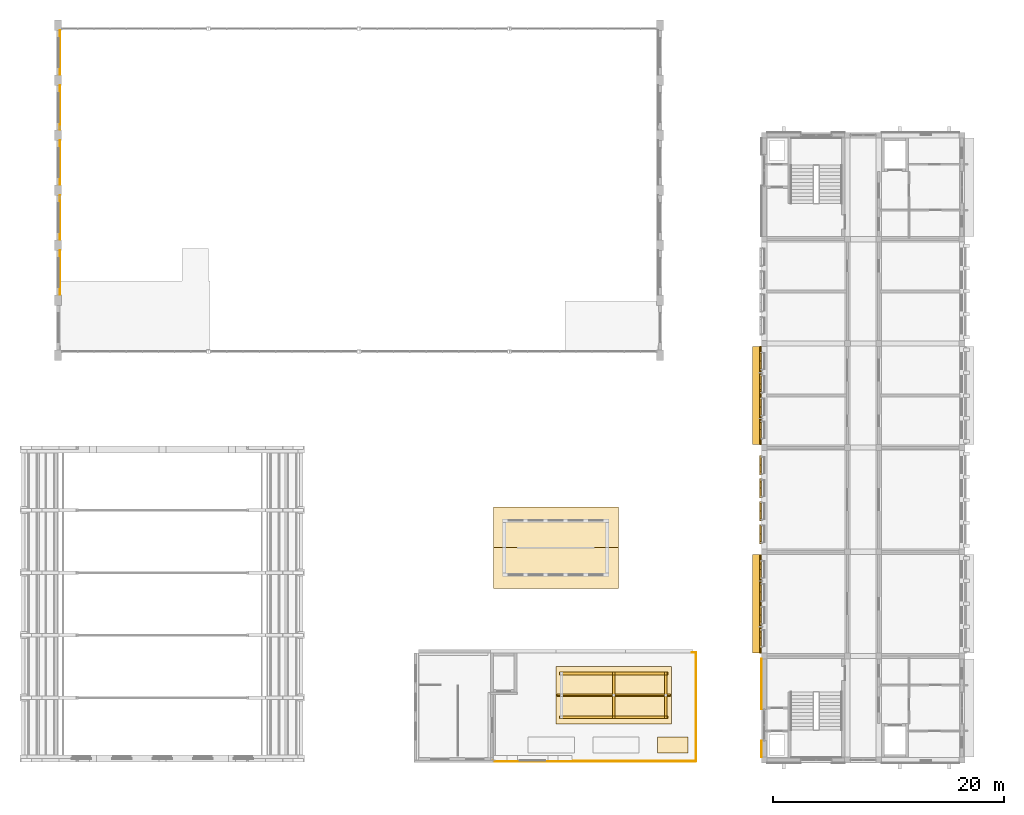
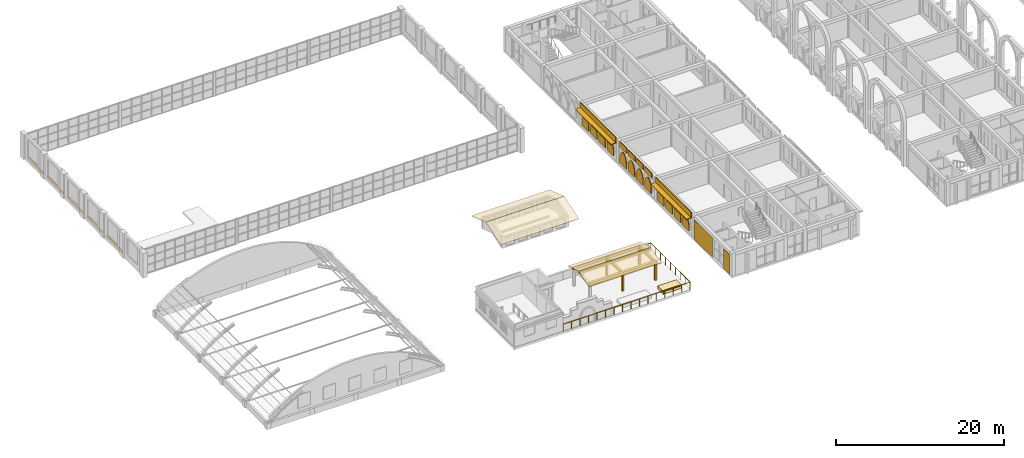
# One storey, part 56 of 70: 26 coverings, 14 shading devices, 1 railing.
"""IFC4 building model written with IfcOpenShell, lengths in metres."""

from ifc_helpers import new_model, si_unit, direction, frame, origin, origin_2d, place, context, subcontext, project, spatial, polyline, rectangle, circle, outline, extrude, material, layer, layer_set, material_profile, profile_set, type_object, element, save


model = new_model("IFC4")

# Units and contexts
model_context = context("Model", 3, precision=1e-05, world=origin(), true_north=direction((0.0, 1.0)))
body_context = subcontext(model_context, "Body", "Model", "MODEL_VIEW")
ifc_project = project(units=[si_unit("LENGTHUNIT", "METRE"), si_unit("AREAUNIT", "SQUARE_METRE"), si_unit("VOLUMEUNIT", "CUBIC_METRE"), si_unit("PLANEANGLEUNIT", "RADIAN"), si_unit("MASSUNIT", "GRAM", prefix="KILO")], contexts=[model_context])

# Site, building, storey
site_placement = place(None, origin())
site = spatial("IfcSite", under=ifc_project, at=site_placement, CompositionType="ELEMENT")
building_placement = place(site_placement, origin())
building = spatial("IfcBuilding", under=site, at=building_placement, Name="Elbe Cascade School", CompositionType="ELEMENT")
storey_placement = place(building_placement, frame((0.0, 0.0, 8.10009765625)))
storey = spatial("IfcBuildingStorey", under=building, at=storey_placement, Name="L02", CompositionType="ELEMENT", Elevation=8.10009765625)

# Shading devices
ifc_material_1 = material(Name="Precast concrete C30/37", Category="concrete")
ifc_layer_1 = layer(ifc_material_1, 0.1201171875)
ifc_layer_set_1 = layer_set([ifc_layer_1], Name="Precast concrete C30/37")
shading_device_type_1 = type_object("IfcShadingDeviceType", Name="Bars envelope Chhajja eave, precast concrete, 900 x 120", PredefinedType="USERDEFINED", material=ifc_layer_set_1)
for number, where, z_axis, x_axis, name in (
    (1, (68.429931640625, 19.5, 2.729736328125), (0.0, 0.0, 1.0), (0.0, 1.0, 0.0), "Chhajja eave SD2 A.L02.w2"),
    (2, (68.429931640625, 37.5, 2.729736328125), (0.0, 0.0, 1.0), (0.0, 1.0, 0.0), "Chhajja eave SD2 A.L02.w4"),
):
    element("IfcShadingDevice", number, at=place(storey_placement, frame(where, z_axis=z_axis, x_axis=x_axis)), inside=storey, type_object=shading_device_type_1, Name=name, ObjectType="CHHAJJA", PredefinedType="USERDEFINED", context=body_context, shape_type="SweptSolid", body=[
        extrude(rectangle(XDim=8.5, YDim=0.89990234375, at=origin_2d()), origin(), (0.0, 0.0, 1.0), 0.1201171875),
    ])
ifc_material_2 = material(Name="Precast concrete C40/50", Category="concrete")
ifc_layer_2 = layer(ifc_material_2, 0.10009765625)
ifc_layer_set_2 = layer_set([ifc_layer_2], Name="Precast concrete C40/50")
shading_device_type_2 = type_object("IfcShadingDeviceType", Name="Bars envelope Jali screen 1600 x 1940, pointed arch rise 1200, pierced precast concrete", PredefinedType="USERDEFINED", material=ifc_layer_set_2)
shading_device_1_placement = place(storey_placement, frame((68.60009765625, 15.72998046875, 1.33984375), z_axis=(-1.0, 0.0, 0.0), x_axis=(0.0, 0.196300278283, 0.98054382908)))
element("IfcShadingDevice", 3, at=shading_device_1_placement, inside=storey, type_object=shading_device_type_2, Name="Jali screen SD4 A.L02.w2.1", ObjectType="JALI", PredefinedType="USERDEFINED", context=body_context, shape_type="SweptSolid", body=[
    extrude(outline(polyline([(0.0, 0.0), (0.509921112317134, 0.0), (0.7186409460062186, 0.06005009918221829), (0.8735458233318658, 0.1311226852889124), (0.9984789528759602, 0.2079464898907821), (1.102872417131342, 0.2891312241218946), (1.1919448840573539, 0.37338315020117196), (1.268281725197354, 0.45993570394643946), (1.3336545243794973, 0.5489321924158467), (1.3075321958793382, 0.6559965916457164), (1.270445825421322, 0.7655049255997259), (1.220671754049922, 0.877553277802997), (1.1555287604765243, 0.9924294312711612), (1.069846101614414, 1.1116665143685687), (0.9541916949707512, 1.2366548159611515), (0.7847223319636507, 1.37266560447821), (0.31409961520112845, 1.5689658827607584), (-0.41149324269448634, 1.7142261716949392), (-0.7255928578956148, 0.1452602889341807), (0.0, 0.0)])), origin(), (0.0, 0.0, -1.0), 0.10009765625),
])
for number, where, z_axis, x_axis, name in (
    (4, (68.60009765625, 17.7099609375, 1.33984375), (-1.0, 0.0, 0.0), (0.0, 0.196300278283, 0.98054382908), "Jali screen SD4 A.L02.w2.2"),
    (5, (68.60009765625, 19.68994140625, 1.33984375), (-1.0, 0.0, 0.0), (0.0, 0.196300278283, 0.98054382908), "Jali screen SD4 A.L02.w2.3"),
):
    element("IfcShadingDevice", number, at=place(storey_placement, frame(where, z_axis=z_axis, x_axis=x_axis)), inside=storey, type_object=shading_device_type_2, Name=name, ObjectType="JALI", PredefinedType="USERDEFINED", context=body_context, shape_type="SweptSolid", body=[
        extrude(outline(polyline([(0.0, 0.0), (0.509921112317134, 0.0), (0.7186409460062186, 0.06005009918221829), (0.8735458233318658, 0.1311226852889124), (0.9985268777485877, 0.20818588047405348), (1.102872417131342, 0.2891312241218946), (1.1919448840573539, 0.37338315020117196), (1.268281725197354, 0.45993570394643946), (1.3336545243794973, 0.5489321924158467), (1.3075801207519657, 0.6562359822289878), (1.270445825421322, 0.7655049255997259), (1.220671754049922, 0.877553277802997), (1.1555287604765243, 0.9924294312711612), (1.069846101614414, 1.1116665143685687), (0.9542396198433787, 1.2368942065444228), (0.7847223319636507, 1.37266560447821), (0.31409961520112845, 1.5689658827607584), (-0.41149324269448634, 1.7142261716949392), (-0.7255928578956148, 0.1452602889341807), (0.0, 0.0)])), origin(), (0.0, 0.0, -1.0), 0.10009765625),
    ])
shading_device_2_placement = place(storey_placement, frame((68.60009765625, 21.669921875, 1.33984375), z_axis=(-1.0, 0.0, 0.0), x_axis=(0.0, 0.196300278283, 0.98054382908)))
element("IfcShadingDevice", 6, at=shading_device_2_placement, inside=storey, type_object=shading_device_type_2, Name="Jali screen SD4 A.L02.w2.4", ObjectType="JALI", PredefinedType="USERDEFINED", context=body_context, shape_type="SweptSolid", body=[
    extrude(outline(polyline([(0.0, 0.0), (0.509921112317134, 0.0), (0.7186888708788461, 0.0602894897654897), (0.8735458233318658, 0.1311226852889124), (0.9985268777485877, 0.20818588047405348), (1.102872417131342, 0.2891312241218946), (1.1919448840573539, 0.37338315020117196), (1.2683296500699814, 0.46017509452971084), (1.3336545243794973, 0.5489321924158467), (1.3075801207519657, 0.6562359822289878), (1.270445825421322, 0.7655049255997259), (1.220671754049922, 0.877553277802997), (1.155576685349152, 0.9926688218544326), (1.069846101614414, 1.1116665143685687), (0.9542396198433787, 1.2368942065444228), (0.7847223319636507, 1.37266560447821), (0.31409961520112845, 1.5689658827607584), (-0.41149324269448634, 1.7142261716949392), (-0.7255928578956148, 0.1452602889341807), (0.0, 0.0)])), origin(), (0.0, 0.0, -1.0), 0.10009765625),
])
shading_device_3_placement = place(storey_placement, frame((68.60009765625, 24.72998046875, 1.33984375), z_axis=(-1.0, 0.0, 0.0), x_axis=(0.0, 0.196300278283, 0.98054382908)))
element("IfcShadingDevice", 7, at=shading_device_3_placement, inside=storey, type_object=shading_device_type_2, Name="Jali screen SD4 A.L02.w3.1", ObjectType="JALI", PredefinedType="USERDEFINED", context=body_context, shape_type="SweptSolid", body=[
    extrude(outline(polyline([(0.0, 0.0), (0.509921112317134, 0.0), (0.7186409460062186, 0.06005009918221829), (0.8735458233318658, 0.1311226852889124), (0.9984789528759602, 0.2079464898907821), (1.102872417131342, 0.2891312241218946), (1.1919448840573539, 0.37338315020117196), (1.268281725197354, 0.45993570394643946), (1.3336545243794973, 0.5489321924158467), (1.3075321958793382, 0.6559965916457164), (1.270445825421322, 0.7655049255997259), (1.220671754049922, 0.877553277802997), (1.1555287604765243, 0.9924294312711612), (1.069846101614414, 1.1116665143685687), (0.9541916949707512, 1.2366548159611515), (0.7847223319636507, 1.37266560447821), (0.31409961520112845, 1.5689658827607584), (-0.41149324269448634, 1.7142261716949392), (-0.7255928578956148, 0.1452602889341807), (0.0, 0.0)])), origin(), (0.0, 0.0, -1.0), 0.10009765625),
])
for number, where, z_axis, x_axis, name in (
    (8, (68.60009765625, 26.7099609375, 1.33984375), (-1.0, 0.0, 0.0), (0.0, 0.196300278283, 0.98054382908), "Jali screen SD4 A.L02.w3.2"),
    (9, (68.60009765625, 28.68994140625, 1.33984375), (-1.0, 0.0, 0.0), (0.0, 0.196300278283, 0.98054382908), "Jali screen SD4 A.L02.w3.3"),
):
    element("IfcShadingDevice", number, at=place(storey_placement, frame(where, z_axis=z_axis, x_axis=x_axis)), inside=storey, type_object=shading_device_type_2, Name=name, ObjectType="JALI", PredefinedType="USERDEFINED", context=body_context, shape_type="SweptSolid", body=[
        extrude(outline(polyline([(0.0, 0.0), (0.509921112317134, 0.0), (0.7186409460062186, 0.06005009918221829), (0.8735458233318658, 0.1311226852889124), (0.9985268777485877, 0.20818588047405348), (1.102872417131342, 0.2891312241218946), (1.1919448840573539, 0.37338315020117196), (1.268281725197354, 0.45993570394643946), (1.3336545243794973, 0.5489321924158467), (1.3075801207519657, 0.6562359822289878), (1.270445825421322, 0.7655049255997259), (1.220671754049922, 0.877553277802997), (1.1555287604765243, 0.9924294312711612), (1.069846101614414, 1.1116665143685687), (0.9542396198433787, 1.2368942065444228), (0.7847223319636507, 1.37266560447821), (0.31409961520112845, 1.5689658827607584), (-0.41149324269448634, 1.7142261716949392), (-0.7255928578956148, 0.1452602889341807), (0.0, 0.0)])), origin(), (0.0, 0.0, -1.0), 0.10009765625),
    ])
shading_device_4_placement = place(storey_placement, frame((68.60009765625, 30.669921875, 1.33984375), z_axis=(-1.0, 0.0, 0.0), x_axis=(0.0, 0.196300278283, 0.98054382908)))
element("IfcShadingDevice", 10, at=shading_device_4_placement, inside=storey, type_object=shading_device_type_2, Name="Jali screen SD4 A.L02.w3.4", ObjectType="JALI", PredefinedType="USERDEFINED", context=body_context, shape_type="SweptSolid", body=[
    extrude(outline(polyline([(0.0, 0.0), (0.509921112317134, 0.0), (0.7186888708788461, 0.0602894897654897), (0.8735458233318658, 0.1311226852889124), (0.9985268777485877, 0.20818588047405348), (1.102872417131342, 0.2891312241218946), (1.1919448840573539, 0.37338315020117196), (1.2683296500699814, 0.46017509452971084), (1.3336545243794973, 0.5489321924158467), (1.3075801207519657, 0.6562359822289878), (1.270445825421322, 0.7655049255997259), (1.220671754049922, 0.877553277802997), (1.155576685349152, 0.9926688218544326), (1.069846101614414, 1.1116665143685687), (0.9542396198433787, 1.2368942065444228), (0.7847223319636507, 1.37266560447821), (0.31409961520112845, 1.5689658827607584), (-0.41149324269448634, 1.7142261716949392), (-0.7255928578956148, 0.1452602889341807), (0.0, 0.0)])), origin(), (0.0, 0.0, -1.0), 0.10009765625),
])
shading_device_5_placement = place(storey_placement, frame((68.60009765625, 33.72998046875, 1.33984375), z_axis=(-1.0, 0.0, 0.0), x_axis=(0.0, 0.196300278283, 0.98054382908)))
element("IfcShadingDevice", 11, at=shading_device_5_placement, inside=storey, type_object=shading_device_type_2, Name="Jali screen SD4 A.L02.w4.1", ObjectType="JALI", PredefinedType="USERDEFINED", context=body_context, shape_type="SweptSolid", body=[
    extrude(outline(polyline([(0.0, 0.0), (0.509921112317134, 0.0), (0.7186409460062186, 0.06005009918221829), (0.8735458233318658, 0.1311226852889124), (0.9984789528759602, 0.2079464898907821), (1.102872417131342, 0.2891312241218946), (1.1919448840573539, 0.37338315020117196), (1.268281725197354, 0.45993570394643946), (1.3336545243794973, 0.5489321924158467), (1.3075321958793382, 0.6559965916457164), (1.270445825421322, 0.7655049255997259), (1.220671754049922, 0.877553277802997), (1.1555287604765243, 0.9924294312711612), (1.069846101614414, 1.1116665143685687), (0.9541916949707512, 1.2366548159611515), (0.7847223319636507, 1.37266560447821), (0.31409961520112845, 1.5689658827607584), (-0.41149324269448634, 1.7142261716949392), (-0.7255928578956148, 0.1452602889341807), (0.0, 0.0)])), origin(), (0.0, 0.0, -1.0), 0.10009765625),
])
for number, where, z_axis, x_axis, name in (
    (12, (68.60009765625, 35.7099609375, 1.33984375), (-1.0, 0.0, 0.0), (0.0, 0.196300278283, 0.98054382908), "Jali screen SD4 A.L02.w4.2"),
    (13, (68.60009765625, 37.68994140625, 1.33984375), (-1.0, 0.0, 0.0), (0.0, 0.196300278283, 0.98054382908), "Jali screen SD4 A.L02.w4.3"),
):
    element("IfcShadingDevice", number, at=place(storey_placement, frame(where, z_axis=z_axis, x_axis=x_axis)), inside=storey, type_object=shading_device_type_2, Name=name, ObjectType="JALI", PredefinedType="USERDEFINED", context=body_context, shape_type="SweptSolid", body=[
        extrude(outline(polyline([(0.0, 0.0), (0.509921112317134, 0.0), (0.7186409460062186, 0.06005009918221829), (0.8735458233318658, 0.1311226852889124), (0.9985268777485877, 0.20818588047405348), (1.102872417131342, 0.2891312241218946), (1.1919448840573539, 0.37338315020117196), (1.268281725197354, 0.45993570394643946), (1.3336545243794973, 0.5489321924158467), (1.3075801207519657, 0.6562359822289878), (1.270445825421322, 0.7655049255997259), (1.220671754049922, 0.877553277802997), (1.1555287604765243, 0.9924294312711612), (1.069846101614414, 1.1116665143685687), (0.9542396198433787, 1.2368942065444228), (0.7847223319636507, 1.37266560447821), (0.31409961520112845, 1.5689658827607584), (-0.41149324269448634, 1.7142261716949392), (-0.7255928578956148, 0.1452602889341807), (0.0, 0.0)])), origin(), (0.0, 0.0, -1.0), 0.10009765625),
    ])
shading_device_6_placement = place(storey_placement, frame((68.60009765625, 39.669921875, 1.33984375), z_axis=(-1.0, 0.0, 0.0), x_axis=(0.0, 0.196300278283, 0.98054382908)))
element("IfcShadingDevice", 14, at=shading_device_6_placement, inside=storey, type_object=shading_device_type_2, Name="Jali screen SD4 A.L02.w4.4", ObjectType="JALI", PredefinedType="USERDEFINED", context=body_context, shape_type="SweptSolid", body=[
    extrude(outline(polyline([(0.0, 0.0), (0.509921112317134, 0.0), (0.7186888708788461, 0.0602894897654897), (0.8735458233318658, 0.1311226852889124), (0.9985268777485877, 0.20818588047405348), (1.102872417131342, 0.2891312241218946), (1.1919448840573539, 0.37338315020117196), (1.2683296500699814, 0.46017509452971084), (1.3336545243794973, 0.5489321924158467), (1.3075801207519657, 0.6562359822289878), (1.270445825421322, 0.7655049255997259), (1.220671754049922, 0.877553277802997), (1.155576685349152, 0.9926688218544326), (1.069846101614414, 1.1116665143685687), (0.9542396198433787, 1.2368942065444228), (0.7847223319636507, 1.37266560447821), (0.31409961520112845, 1.5689658827607584), (-0.41149324269448634, 1.7142261716949392), (-0.7255928578956148, 0.1452602889341807), (0.0, 0.0)])), origin(), (0.0, 0.0, -1.0), 0.10009765625),
])

# Coverings
ifc_material_3 = material(Name="Sandstone - red", Category="masonry")
ifc_layer_3 = layer(ifc_material_3, 0.0400390625)
ifc_layer_set_3 = layer_set([ifc_layer_3], Name="Sandstone - red")
covering_type_1 = type_object("IfcCoveringType", Name="Bars envelope Sandstone cladding, red, 40 mm", PredefinedType="CLADDING", material=ifc_layer_set_3)
covering_1_placement = place(storey_placement, frame((68.760009765625, 6.969970703125, -0.000244140625), z_axis=(0.0, 0.0, 1.0), x_axis=(0.0, 1.0, 0.0)))
element("IfcCovering", 15, at=covering_1_placement, inside=storey, type_object=covering_type_1, Name="Sandstone cladding CV48 A.L02.w.1a.1", PredefinedType="CLADDING", context=body_context, shape_type="SweptSolid", body=[
    extrude(rectangle(XDim=1.43994140625, YDim=0.0400390625, at=origin_2d()), origin(), (0.0, 0.0, 1.0), 2.85009765625),
])
covering_2_placement = place(storey_placement, frame((68.760009765625, 12.570068359375, -0.000244140625), z_axis=(0.0, 0.0, 1.0), x_axis=(0.0, 1.0, 0.0)))
element("IfcCovering", 16, at=covering_2_placement, inside=storey, type_object=covering_type_1, Name="Sandstone cladding CV48 A.L02.w.1b.1", PredefinedType="CLADDING", context=body_context, shape_type="SweptSolid", body=[
    extrude(rectangle(XDim=4.360107421875, YDim=0.0400390625, at=origin_2d()), origin(), (0.0, 0.0, 1.0), 2.85009765625),
])
ifc_material_4 = material(Name="Sandstone - red", Category="masonry")
covering_type_2 = type_object("IfcCoveringType", Name="Bars envelope Sandstone spandrel band, 120 deep", PredefinedType="CLADDING", material=ifc_material_4)
covering_3_placement = place(storey_placement, frame((68.68994140625, 19.5, 2.849853515625), z_axis=(0.0, 0.0, 1.0), x_axis=(0.0, 1.0, 0.0)))
element("IfcCovering", 17, at=covering_3_placement, inside=storey, type_object=covering_type_2, Name="Spandrel band CV53 A.L02.w1.1", PredefinedType="CLADDING", context=body_context, shape_type="SweptSolid", body=[
    extrude(rectangle(XDim=8.5, YDim=0.1201171875, at=origin_2d()), origin(), (0.0, 0.0, 1.0), 0.75),
])
for number, where, z_axis, x_axis, name in (
    (18, (68.68994140625, 25.530029296875, 2.849853515625), (0.0, 0.0, 1.0), (0.0, 1.0, 0.0), "Spandrel band CV53 A.L02.w2.1"),
    (19, (68.68994140625, 27.510009765625, 2.849853515625), (0.0, 0.0, 1.0), (0.0, 1.0, 0.0), "Spandrel band CV53 A.L02.w2.2"),
    (20, (68.68994140625, 29.489990234375, 2.849853515625), (0.0, 0.0, 1.0), (0.0, 1.0, 0.0), "Spandrel band CV53 A.L02.w2.3"),
    (21, (68.68994140625, 31.469970703125, 2.849853515625), (0.0, 0.0, 1.0), (0.0, 1.0, 0.0), "Spandrel band CV53 A.L02.w2.4"),
):
    element("IfcCovering", number, at=place(storey_placement, frame(where, z_axis=z_axis, x_axis=x_axis)), inside=storey, type_object=covering_type_2, Name=name, PredefinedType="CLADDING", context=body_context, shape_type="SweptSolid", body=[
        extrude(rectangle(XDim=1.639892578125, YDim=0.1201171875, at=origin_2d()), origin(), (0.0, 0.0, 1.0), 0.75),
    ])
covering_4_placement = place(storey_placement, frame((68.68994140625, 37.5, 2.849853515625), z_axis=(0.0, 0.0, 1.0), x_axis=(0.0, 1.0, 0.0)))
element("IfcCovering", 22, at=covering_4_placement, inside=storey, type_object=covering_type_2, Name="Spandrel band CV53 A.L02.w3.1", PredefinedType="CLADDING", context=body_context, shape_type="SweptSolid", body=[
    extrude(rectangle(XDim=8.5, YDim=0.1201171875, at=origin_2d()), origin(), (0.0, 0.0, 1.0), 0.75),
])

# Railing
ifc_material_5 = material(Name="Steel S355J2H balustrade", Category="steel")
railing_type = type_object("IfcRailingType", Name="Cafe guard 1100", PredefinedType="GUARDRAIL", material=ifc_material_5)
railing_placement = place(storey_placement, frame((45.60009765625, 5.89990234375, 0.0)))
element("IfcRailing", 23, at=railing_placement, inside=storey, type_object=railing_type, Name="Cafe guard 1100 RL11", PredefinedType="GUARDRAIL", context=body_context, shape_type="SweptSolid", body=[
    extrude(circle(Radius=0.02490234375, at=origin_2d()), frame((0.0, 0.0, 1.0751953125), z_axis=(1.0, 0.0, 0.0), x_axis=(0.0, 1.0, 0.0)), (0.0, 0.0, 1.0), 17.5),
    extrude(circle(Radius=0.02490234375, at=origin_2d()), frame((17.5, 0.0, 1.0751953125), z_axis=(0.0, 1.0, 0.0), x_axis=(-1.0, 0.0, 0.0)), (0.0, 0.0, 1.0), 9.400146484375),
    extrude(circle(Radius=0.02490234375, at=origin_2d()), frame((17.5, 9.400146484375, 1.0751953125), z_axis=(-1.0, 0.0, 0.0), x_axis=(0.0, -1.0, 0.0)), (0.0, 0.0, 1.0), 0.35009765625),
    extrude(circle(Radius=0.02001953125, at=origin_2d()), origin(), (0.0, 0.0, 1.0), 1.050048828125),
    extrude(circle(Radius=0.02001953125, at=origin_2d()), frame((1.166748046875, 0.0, 0.0)), (0.0, 0.0, 1.0), 1.050048828125),
    extrude(circle(Radius=0.02001953125, at=origin_2d()), frame((2.333251953125, 0.0, 0.0)), (0.0, 0.0, 1.0), 1.050048828125),
    extrude(circle(Radius=0.02001953125, at=origin_2d()), frame((3.5, 0.0, 0.0)), (0.0, 0.0, 1.0), 1.050048828125),
    extrude(circle(Radius=0.02001953125, at=origin_2d()), frame((4.666748046875, 0.0, 0.0)), (0.0, 0.0, 1.0), 1.050048828125),
    extrude(circle(Radius=0.02001953125, at=origin_2d()), frame((5.833251953125, 0.0, 0.0)), (0.0, 0.0, 1.0), 1.050048828125),
    extrude(circle(Radius=0.02001953125, at=origin_2d()), frame((7.0, 0.0, 0.0)), (0.0, 0.0, 1.0), 1.050048828125),
    extrude(circle(Radius=0.02001953125, at=origin_2d()), frame((8.166748046875, 0.0, 0.0)), (0.0, 0.0, 1.0), 1.050048828125),
    extrude(circle(Radius=0.02001953125, at=origin_2d()), frame((9.333251953125, 0.0, 0.0)), (0.0, 0.0, 1.0), 1.050048828125),
    extrude(circle(Radius=0.02001953125, at=origin_2d()), frame((10.5, 0.0, 0.0)), (0.0, 0.0, 1.0), 1.050048828125),
    extrude(circle(Radius=0.02001953125, at=origin_2d()), frame((11.666748046875, 0.0, 0.0)), (0.0, 0.0, 1.0), 1.050048828125),
    extrude(circle(Radius=0.02001953125, at=origin_2d()), frame((12.833251953125, 0.0, 0.0)), (0.0, 0.0, 1.0), 1.050048828125),
    extrude(circle(Radius=0.02001953125, at=origin_2d()), frame((14.0, 0.0, 0.0)), (0.0, 0.0, 1.0), 1.050048828125),
    extrude(circle(Radius=0.02001953125, at=origin_2d()), frame((15.166748046875, 0.0, 0.0)), (0.0, 0.0, 1.0), 1.050048828125),
    extrude(circle(Radius=0.02001953125, at=origin_2d()), frame((16.333251953125, 0.0, 0.0)), (0.0, 0.0, 1.0), 1.050048828125),
    extrude(circle(Radius=0.02001953125, at=origin_2d()), frame((17.5, 0.0, 0.0)), (0.0, 0.0, 1.0), 1.050048828125),
    extrude(circle(Radius=0.02001953125, at=origin_2d()), frame((17.5, 1.175048828125, 0.0)), (0.0, 0.0, 1.0), 1.050048828125),
    extrude(circle(Radius=0.02001953125, at=origin_2d()), frame((17.5, 2.35009765625, 0.0)), (0.0, 0.0, 1.0), 1.050048828125),
    extrude(circle(Radius=0.02001953125, at=origin_2d()), frame((17.5, 3.525146484375, 0.0)), (0.0, 0.0, 1.0), 1.050048828125),
    extrude(circle(Radius=0.02001953125, at=origin_2d()), frame((17.5, 4.7001953125, 0.0)), (0.0, 0.0, 1.0), 1.050048828125),
    extrude(circle(Radius=0.02001953125, at=origin_2d()), frame((17.5, 5.875, 0.0)), (0.0, 0.0, 1.0), 1.050048828125),
    extrude(circle(Radius=0.02001953125, at=origin_2d()), frame((17.5, 7.050048828125, 0.0)), (0.0, 0.0, 1.0), 1.050048828125),
    extrude(circle(Radius=0.02001953125, at=origin_2d()), frame((17.5, 8.22509765625, 0.0)), (0.0, 0.0, 1.0), 1.050048828125),
    extrude(circle(Radius=0.02001953125, at=origin_2d()), frame((17.5, 9.400146484375, 0.0)), (0.0, 0.0, 1.0), 1.050048828125),
    extrude(circle(Radius=0.02001953125, at=origin_2d()), frame((17.14990234375, 9.400146484375, 0.0)), (0.0, 0.0, 1.0), 1.050048828125),
])

# Coverings
ifc_material_6 = material(Name="Timber - oak", Category="wood")
ifc_material_profile_1 = material_profile(ifc_material_6, outline(polyline([(-2.02490234375, 10.5), (-1.77490234375, 10.5), (-1.77490234375, 10.91748046875), (-2.02490234375, 10.842529296875), (-2.02490234375, 10.5)])), Name="Eave beam 250 sloped top")
ifc_profile_set_1 = profile_set([ifc_material_profile_1], Name="Timber - oak")
covering_type_3 = type_object("IfcCoveringType", Name="Cafe pavilion eave beam 250", PredefinedType="CLADDING", material=ifc_profile_set_1)
covering_5_placement = place(storey_placement, frame((51.300048828125, 11.60009765625, -8.10009765625), z_axis=(1.0, 0.0, 0.0), x_axis=(0.0, 1.0, 0.0)))
element("IfcCovering", 24, at=covering_5_placement, inside=storey, type_object=covering_type_3, Name="Cafe pavilion eave beam 250 CV102", PredefinedType="CLADDING", context=body_context, shape_type="SweptSolid", body=[
    extrude(outline(polyline([(-2.02490234375, 10.5), (-1.77490234375, 10.5), (-1.77490234375, 10.91748046875), (-2.02490234375, 10.842529296875), (-2.02490234375, 10.5)])), origin(), (0.0, 0.0, 1.0), 9.39990234375),
])
ifc_material_7 = material(Name="Timber - oak", Category="wood")
ifc_material_profile_2 = material_profile(ifc_material_7, outline(polyline([(1.77490234375, 10.5), (2.02490234375, 10.5), (2.02490234375, 10.842529296875), (1.77490234375, 10.91748046875), (1.77490234375, 10.5)])), Name="Eave beam 250 sloped top right")
ifc_profile_set_2 = profile_set([ifc_material_profile_2], Name="Timber - oak")
covering_type_4 = type_object("IfcCoveringType", Name="Cafe pavilion eave beam 250 right", PredefinedType="CLADDING", material=ifc_profile_set_2)
covering_6_placement = place(storey_placement, frame((51.300048828125, 11.60009765625, -8.10009765625), z_axis=(1.0, 0.0, 0.0), x_axis=(0.0, 1.0, 0.0)))
element("IfcCovering", 25, at=covering_6_placement, inside=storey, type_object=covering_type_4, Name="Cafe pavilion eave beam 250 right CV103", PredefinedType="CLADDING", context=body_context, shape_type="SweptSolid", body=[
    extrude(outline(polyline([(1.77490234375, 10.5), (2.02490234375, 10.5), (2.02490234375, 10.842529296875), (1.77490234375, 10.91748046875), (1.77490234375, 10.5)])), origin(), (0.0, 0.0, 1.0), 9.39990234375),
])
ifc_material_8 = material(Name="Timber - oak", Category="wood")
ifc_layer_4 = layer(ifc_material_8, 0.25)
ifc_layer_set_4 = layer_set([ifc_layer_4], Name="Timber - oak")
covering_type_5 = type_object("IfcCoveringType", Name="Cafe pavilion post 250", PredefinedType="CLADDING", material=ifc_layer_set_4)
covering_7_placement = place(storey_placement, origin())
element("IfcCovering", 26, at=covering_7_placement, inside=storey, type_object=covering_type_5, Name="Cafe pavilion post 250 CV99", PredefinedType="CLADDING", context=body_context, shape_type="SweptSolid", body=[
    extrude(outline(polyline([(55.875, 9.574951171875), (56.125, 9.574951171875), (56.125, 9.824951171875), (55.875, 9.824951171875), (55.875, 9.574951171875)])), origin(), (0.0, 0.0, 1.0), 2.39990234375),
])
covering_8_placement = place(storey_placement, origin())
element("IfcCovering", 27, at=covering_8_placement, inside=storey, type_object=covering_type_5, Name="Cafe pavilion post 250 CV99", PredefinedType="CLADDING", context=body_context, shape_type="SweptSolid", body=[
    extrude(outline(polyline([(55.875, 13.375), (56.125, 13.375), (56.125, 13.625), (55.875, 13.625), (55.875, 13.375)])), origin(), (0.0, 0.0, 1.0), 2.39990234375),
])
covering_9_placement = place(storey_placement, origin())
element("IfcCovering", 28, at=covering_9_placement, inside=storey, type_object=covering_type_5, Name="Cafe pavilion post 250 CV99", PredefinedType="CLADDING", context=body_context, shape_type="SweptSolid", body=[
    extrude(outline(polyline([(60.375, 9.574951171875), (60.625, 9.574951171875), (60.625, 9.824951171875), (60.375, 9.824951171875), (60.375, 9.574951171875)])), origin(), (0.0, 0.0, 1.0), 2.39990234375),
])
covering_10_placement = place(storey_placement, origin())
element("IfcCovering", 29, at=covering_10_placement, inside=storey, type_object=covering_type_5, Name="Cafe pavilion post 250 CV99", PredefinedType="CLADDING", context=body_context, shape_type="SweptSolid", body=[
    extrude(outline(polyline([(60.375, 13.375), (60.625, 13.375), (60.625, 13.625), (60.375, 13.625), (60.375, 13.375)])), origin(), (0.0, 0.0, 1.0), 2.39990234375),
])
ifc_material_9 = material(Name="Timber - oak", Category="wood")
ifc_material_profile_3 = material_profile(ifc_material_9, outline(polyline([(-0.1201171875, 11.14990234375), (0.1201171875, 11.14990234375), (0.1201171875, 11.4140625), (0.0, 11.449951171875), (-0.1201171875, 11.4140625), (-0.1201171875, 11.14990234375)])), Name="Ridge beam 240")
ifc_profile_set_3 = profile_set([ifc_material_profile_3], Name="Timber - oak")
covering_type_6 = type_object("IfcCoveringType", Name="Cafe pavilion ridge beam 240", PredefinedType="CLADDING", material=ifc_profile_set_3)
covering_11_placement = place(storey_placement, frame((51.10009765625, 11.60009765625, -8.10009765625), z_axis=(1.0, 0.0, 0.0), x_axis=(0.0, 1.0, 0.0)))
element("IfcCovering", 30, at=covering_11_placement, inside=storey, type_object=covering_type_6, Name="Cafe pavilion ridge beam 240 CV104", PredefinedType="CLADDING", context=body_context, shape_type="SweptSolid", body=[
    extrude(outline(polyline([(-0.1201171875, 11.14990234375), (0.1201171875, 11.14990234375), (0.1201171875, 11.4140625), (0.0, 11.449951171875), (-0.1201171875, 11.4140625), (-0.1201171875, 11.14990234375)])), origin(), (0.0, 0.0, 1.0), 9.7998046875),
])
ifc_material_10 = material(Name="Clay tile roofing")
ifc_material_profile_4 = material_profile(ifc_material_10, outline(polyline([(-2.5, 10.699951171875), (0.0, 11.449951171875), (2.5, 10.699951171875), (2.5, 10.804443359375), (0.0, 11.554443359375), (-2.5, 10.804443359375), (-2.5, 10.699951171875)])), Name="Pavilion roof plate 5000 wide")
ifc_profile_set_4 = profile_set([ifc_material_profile_4], Name="Clay tile roofing")
covering_type_7 = type_object("IfcCoveringType", Name="Cafe pavilion roof plate 100", PredefinedType="ROOFING", material=ifc_profile_set_4)
covering_12_placement = place(storey_placement, frame((51.0, 11.60009765625, -8.10009765625), z_axis=(1.0, 0.0, 0.0), x_axis=(0.0, 1.0, 0.0)))
element("IfcCovering", 31, at=covering_12_placement, inside=storey, type_object=covering_type_7, Name="Cafe pavilion roof plate 100 CV105", PredefinedType="ROOFING", context=body_context, shape_type="SweptSolid", body=[
    extrude(outline(polyline([(-2.5, 10.699951171875), (0.0, 11.449951171875), (2.5, 10.699951171875), (2.5, 10.804443359375), (0.0, 11.554443359375), (-2.5, 10.804443359375), (-2.5, 10.699951171875)])), origin(), (0.0, 0.0, 1.0), 10.0),
])
ifc_material_11 = material(Name="Timber - oak", Category="wood")
ifc_layer_5 = layer(ifc_material_11, 0.25)
ifc_layer_set_5 = layer_set([ifc_layer_5], Name="Timber - oak")
covering_type_8 = type_object("IfcCoveringType", Name="Cafe pavilion tie beam 250", PredefinedType="CLADDING", material=ifc_layer_set_5)
covering_13_placement = place(storey_placement, frame((0.0, 0.0, 2.39990234375)))
element("IfcCovering", 32, at=covering_13_placement, inside=storey, type_object=covering_type_8, Name="Cafe pavilion tie beam 250 CV100", PredefinedType="CLADDING", context=body_context, shape_type="SweptSolid", body=[
    extrude(outline(polyline([(55.875, 9.824951171875), (56.125, 9.824951171875), (56.125, 13.375), (55.875, 13.375), (55.875, 9.824951171875)])), origin(), (0.0, 0.0, 1.0), 0.300048828125),
])
covering_14_placement = place(storey_placement, frame((0.0, 0.0, 2.39990234375)))
element("IfcCovering", 33, at=covering_14_placement, inside=storey, type_object=covering_type_8, Name="Cafe pavilion tie beam 250 CV100", PredefinedType="CLADDING", context=body_context, shape_type="SweptSolid", body=[
    extrude(outline(polyline([(60.375, 9.824951171875), (60.625, 9.824951171875), (60.625, 13.375), (60.375, 13.375), (60.375, 9.824951171875)])), origin(), (0.0, 0.0, 1.0), 0.300048828125),
])
ifc_material_12 = material(Name="Planting substrate - green roof", Category="soil")
ifc_layer_6 = layer(ifc_material_12, 0.39990234375)
ifc_layer_set_6 = layer_set([ifc_layer_6], Name="Planting substrate - green roof")
covering_type_9 = type_object("IfcCoveringType", Name="Cafe roof terrace planting bed", PredefinedType="USERDEFINED", material=ifc_layer_set_6)
covering_15_placement = place(storey_placement, origin())
element("IfcCovering", 34, at=covering_15_placement, inside=storey, type_object=covering_type_9, Name="Cafe roof terrace planting bed CV91", ObjectType="PLANTING BED", PredefinedType="USERDEFINED", context=body_context, shape_type="SweptSolid", body=[
    extrude(outline(polyline([(59.800048828125, 6.60009765625), (62.39990234375, 6.60009765625), (62.39990234375, 8.0), (59.800048828125, 8.0), (59.800048828125, 6.60009765625)])), origin(), (0.0, 0.0, 1.0), 0.39990234375),
])
ifc_material_13 = material(Name="Clay tile roofing")
ifc_layer_7 = layer(ifc_material_13, 0.030029296875)
ifc_layer_set_7 = layer_set([ifc_layer_7], Name="Clay tile roofing")
covering_type_10 = type_object("IfcCoveringType", Name="Dining lantern roof tiling 30", PredefinedType="ROOFING", material=ifc_layer_set_7)
covering_16_placement = place(storey_placement, frame((45.60009765625, 20.85009765625, 3.5673828125), z_axis=(0.0, -0.322657796084, 0.94651568747), x_axis=(1.0, 0.0, 0.0)))
element("IfcCovering", 35, at=covering_16_placement, inside=storey, type_object=covering_type_10, Name="Dining lantern roof tiling 30 CV4", PredefinedType="ROOFING", context=body_context, shape_type="SweptSolid", body=[
    extrude(outline(polyline([(0.0, 0.0), (10.7998046875, 0.0), (10.7998046875, 3.6977728381415904), (0.0, 3.6977728381415904), (0.0, 0.0)])), origin(), (0.0, 0.0, -1.0), 0.030029296875),
])
covering_17_placement = place(storey_placement, frame((45.60009765625, 27.85009765625, 3.5673828125), z_axis=(0.0, 0.322657796084, 0.94651568747), x_axis=(1.0, 0.0, 0.0)))
element("IfcCovering", 36, at=covering_17_placement, inside=storey, type_object=covering_type_10, Name="Dining lantern roof tiling 30 CV4", PredefinedType="ROOFING", context=body_context, shape_type="SweptSolid", body=[
    extrude(outline(polyline([(0.0, 0.0), (10.7998046875, 0.0), (10.7998046875, -3.6977728381415904), (0.0, -3.6977728381415904), (0.0, 0.0)])), origin(), (0.0, 0.0, -1.0), 0.030029296875),
])
ifc_material_14 = material(Name="Timber - impact-resistant panel", Category="wood")
ifc_layer_8 = layer(ifc_material_14, 0.0400390625)
ifc_layer_set_8 = layer_set([ifc_layer_8], Name="Timber - impact-resistant panel")
covering_type_11 = type_object("IfcCoveringType", Name="Hall impact lining upper course 400", PredefinedType="CLADDING", material=ifc_layer_set_8)
for number, where, z_axis, x_axis, name in (
    (37, (8.169921875, 48.125, 0.0), (0.0, 0.0, 1.0), (1.0, 0.0, 0.0), "Impact lining W2"),
    (38, (8.169921875, 52.875, 0.0), (0.0, 0.0, 1.0), (1.0, 0.0, 0.0), "Impact lining W3"),
    (39, (8.169921875, 57.625, 0.0), (0.0, 0.0, 1.0), (1.0, 0.0, 0.0), "Impact lining W4"),
    (40, (8.169921875, 62.375, 0.0), (0.0, 0.0, 1.0), (1.0, 0.0, 0.0), "Impact lining W5"),
    (41, (8.169921875, 67.125, 0.0), (0.0, 0.0, 1.0), (1.0, 0.0, 0.0), "Impact lining W6"),
):
    element("IfcCovering", number, at=place(storey_placement, frame(where, z_axis=z_axis, x_axis=x_axis)), inside=storey, type_object=covering_type_11, Name=name, PredefinedType="CLADDING", context=body_context, shape_type="SweptSolid", body=[
        extrude(rectangle(XDim=0.0400390625, YDim=3.85009765625, at=origin_2d()), origin(), (0.0, 0.0, 1.0), 0.39990234375),
    ])

save(model, "model.ifc")
